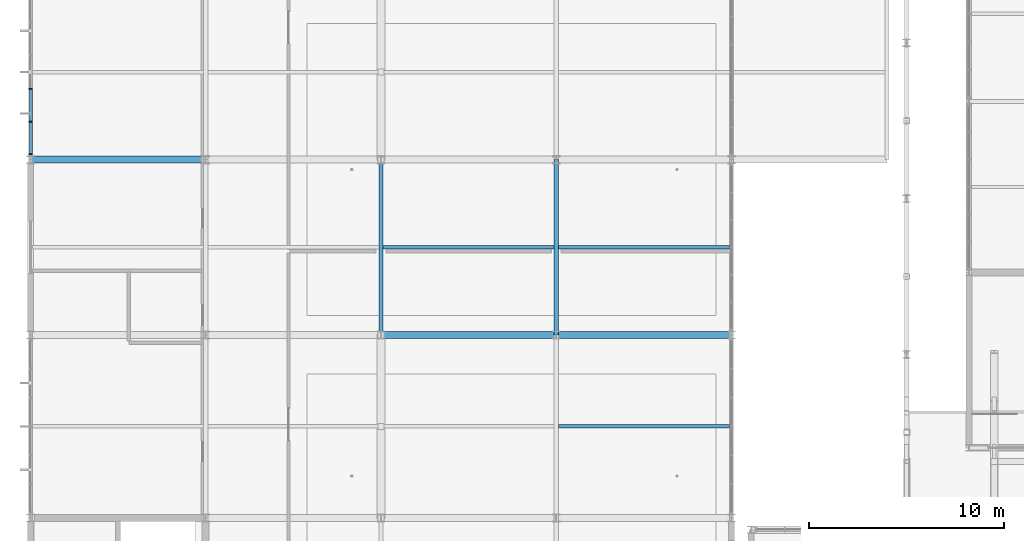
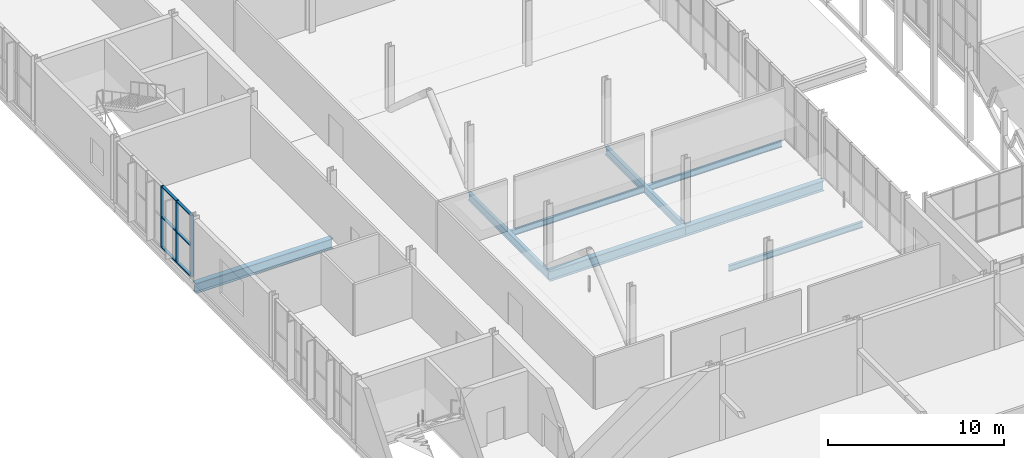
# One storey, part 43 of 134: 9 members, 8 beams, 1 element without a shape of its own.
"""IFC4 building model written with IfcOpenShell, lengths in metres."""

from ifc_helpers import new_model, si_unit, direction, frame, origin, origin_2d, place, context, subcontext, project, spatial, rectangle, i_section, extrude, material, layer, layer_set, material_profile, profile_set, type_object, element, aggregate, save


model = new_model("IFC4")

# Units and contexts
model_context = context("Model", 3, precision=1e-05, world=origin(), true_north=direction((0.0, 1.0)))
body_context = subcontext(model_context, "Body", "Model", "MODEL_VIEW")
ifc_project = project(units=[si_unit("LENGTHUNIT", "METRE"), si_unit("AREAUNIT", "SQUARE_METRE"), si_unit("VOLUMEUNIT", "CUBIC_METRE"), si_unit("PLANEANGLEUNIT", "RADIAN"), si_unit("MASSUNIT", "GRAM", prefix="KILO")], contexts=[model_context])

# Site, building, storey
site_placement = place(None, origin())
site = spatial("IfcSite", under=ifc_project, at=site_placement, CompositionType="ELEMENT")
building_placement = place(site_placement, origin())
building = spatial("IfcBuilding", under=site, at=building_placement, Name="Cazmaro Siding Exhibition Halls", CompositionType="ELEMENT")
storey_placement = place(building_placement, frame((0.0, 0.0, 12.0)))
storey = spatial("IfcBuildingStorey", under=building, at=storey_placement, Name="L02", CompositionType="ELEMENT", Elevation=12.0)

# Beams
ifc_material_1 = material(Name="Steel ASTM A992 Grade 50", Category="steel")
ifc_material_profile_1 = material_profile(ifc_material_1, i_section(OverallWidth=0.214111328125, OverallDepth=0.549072265625, WebThickness=0.014892578125, FlangeThickness=0.02392578125, at=origin_2d()), Name="W21X93")
ifc_profile_set_1 = profile_set([ifc_material_profile_1], Name="Steel ASTM A992 Grade 50")
beam_type_1 = type_object("IfcBeamType", Name="B-01", PredefinedType="BEAM", material=ifc_profile_set_1)
for number, where, z_axis, x_axis, name in (
    (1, (18.0, 73.0, -0.4951171875), (0.0, 1.0, 0.0), (-1.0, 0.0, 0.0), "Beam B-01 BM-2134"),
    (2, (27.0, 73.0, -0.4951171875), (0.0, 1.0, 0.0), (-1.0, 0.0, 0.0), "Beam B-01 BM-2142"),
):
    element("IfcBeam", number, at=place(storey_placement, frame(where, z_axis=z_axis, x_axis=x_axis)), inside=storey, type_object=beam_type_1, Name=name, PredefinedType="BEAM", context=body_context, shape_type="SweptSolid", body=[
        extrude(i_section(OverallWidth=0.214111328125, OverallDepth=0.549072265625, WebThickness=0.014892578125, FlangeThickness=0.02392578125, at=origin_2d()), origin(), (0.0, 0.0, 1.0), 9.0),
    ])

# Curtain wall, members
ifc_material_2 = material(Name="Anodized Bronze Aluminum and Solar-Control Low-E Glazing", Category="aluminium")
ifc_layer = layer(ifc_material_2, 0.199951171875)
ifc_layer_set = layer_set([ifc_layer], Name="Anodized Bronze Aluminum and Solar-Control Low-E Glazing")
curtain_wall_type = type_object("IfcCurtainWallType", Name="CWS-02", PredefinedType="USERDEFINED", material=ifc_layer_set)
curtain_wall_placement = place(storey_placement, origin())
curtain_wall = element("IfcCurtainWall", 3, at=curtain_wall_placement, inside=storey, type_object=curtain_wall_type, Name="Glazed Curtain Wall CWS-02 CW-239", ObjectType="GLAZED CURTAIN WALL", PredefinedType="USERDEFINED")
ifc_material_3 = material(Name="Anodized Bronze Extruded Aluminum", Category="aluminium")
ifc_material_profile_2 = material_profile(ifc_material_3, rectangle(XDim=0.199951171875, YDim=0.06494140625, at=origin_2d()), Name="CWM-02")
ifc_profile_set_2 = profile_set([ifc_material_profile_2], Name="Anodized Bronze Extruded Aluminum")
member_type_1 = type_object("IfcMemberType", Name="CWM-02", PredefinedType="MULLION", material=ifc_profile_set_2)
member_1_placement = place(storey_placement, frame((0.0, 85.64892578125, 0.0), z_axis=(0.0, 0.0, 1.0), x_axis=(1.0, 0.0, 0.0)))
member_1 = element("IfcMember", 4, at=member_1_placement, type_object=member_type_1, Name="CWS-02 mullion 4", PredefinedType="MULLION", context=body_context, shape_type="SweptSolid", body=[
    extrude(rectangle(XDim=0.199951171875, YDim=0.06494140625, at=origin_2d()), origin(), (0.0, 0.0, 1.0), 4.280029296875),
])
member_2_placement = place(storey_placement, frame((0.0, 83.947021484375, 0.0), z_axis=(0.0, 0.0, 1.0), x_axis=(1.0, 0.0, 0.0)))
member_2 = element("IfcMember", 5, at=member_2_placement, type_object=member_type_1, Name="CWS-02 mullion 5", PredefinedType="MULLION", context=body_context, shape_type="SweptSolid", body=[
    extrude(rectangle(XDim=0.199951171875, YDim=0.06494140625, at=origin_2d()), origin(), (0.0, 0.0, 1.0), 4.280029296875),
])
member_3_placement = place(storey_placement, frame((0.0, 82.277587890625, 0.0), z_axis=(0.0, 0.0, 1.0), x_axis=(1.0, 0.0, 0.0)))
member_3 = element("IfcMember", 6, at=member_3_placement, type_object=member_type_1, Name="CWS-02 mullion 6", PredefinedType="MULLION", context=body_context, shape_type="SweptSolid", body=[
    extrude(rectangle(XDim=0.199951171875, YDim=0.06494140625, at=origin_2d()), origin(), (0.0, 0.0, 1.0), 4.280029296875),
])
ifc_material_4 = material(Name="Anodized Bronze Extruded Aluminum", Category="aluminium")
ifc_material_profile_3 = material_profile(ifc_material_4, rectangle(XDim=0.179931640625, YDim=0.06494140625, at=origin_2d()), Name="CWT-02")
ifc_profile_set_3 = profile_set([ifc_material_profile_3], Name="Anodized Bronze Extruded Aluminum")
member_type_2 = type_object("IfcMemberType", Name="CWT-02", PredefinedType="MULLION", material=ifc_profile_set_3)
member_4_placement = place(storey_placement, frame((0.0, 85.616455078125, 0.032470703125), z_axis=(0.0, -1.0, 0.0), x_axis=(1.0, 0.0, 0.0)))
member_4 = element("IfcMember", 7, at=member_4_placement, type_object=member_type_2, Name="CWS-02 transom 4.1", ObjectType="TRANSOM", PredefinedType="USERDEFINED", context=body_context, shape_type="SweptSolid", body=[
    extrude(rectangle(XDim=0.179931640625, YDim=0.06494140625, at=origin_2d()), origin(), (0.0, 0.0, 1.0), 1.636962890625),
])
member_5_placement = place(storey_placement, frame((0.0, 85.616455078125, 2.139892578125), z_axis=(0.0, -1.0, 0.0), x_axis=(1.0, 0.0, 0.0)))
member_5 = element("IfcMember", 8, at=member_5_placement, type_object=member_type_2, Name="CWS-02 transom 4.2", ObjectType="TRANSOM", PredefinedType="USERDEFINED", context=body_context, shape_type="SweptSolid", body=[
    extrude(rectangle(XDim=0.179931640625, YDim=0.06494140625, at=origin_2d()), origin(), (0.0, 0.0, 1.0), 1.636962890625),
])
member_6_placement = place(storey_placement, frame((0.0, 85.616455078125, 4.24755859375), z_axis=(0.0, -1.0, 0.0), x_axis=(1.0, 0.0, 0.0)))
member_6 = element("IfcMember", 9, at=member_6_placement, type_object=member_type_2, Name="CWS-02 transom 4.3", ObjectType="TRANSOM", PredefinedType="USERDEFINED", context=body_context, shape_type="SweptSolid", body=[
    extrude(rectangle(XDim=0.179931640625, YDim=0.06494140625, at=origin_2d()), origin(), (0.0, 0.0, 1.0), 1.636962890625),
])
member_7_placement = place(storey_placement, frame((0.0, 83.91455078125, 0.032470703125), z_axis=(0.0, -1.0, 0.0), x_axis=(1.0, 0.0, 0.0)))
member_7 = element("IfcMember", 10, at=member_7_placement, type_object=member_type_2, Name="CWS-02 transom 5.1", ObjectType="TRANSOM", PredefinedType="USERDEFINED", context=body_context, shape_type="SweptSolid", body=[
    extrude(rectangle(XDim=0.179931640625, YDim=0.06494140625, at=origin_2d()), origin(), (0.0, 0.0, 1.0), 1.6044921875),
])
member_8_placement = place(storey_placement, frame((0.0, 83.91455078125, 2.139892578125), z_axis=(0.0, -1.0, 0.0), x_axis=(1.0, 0.0, 0.0)))
member_8 = element("IfcMember", 11, at=member_8_placement, type_object=member_type_2, Name="CWS-02 transom 5.2", ObjectType="TRANSOM", PredefinedType="USERDEFINED", context=body_context, shape_type="SweptSolid", body=[
    extrude(rectangle(XDim=0.179931640625, YDim=0.06494140625, at=origin_2d()), origin(), (0.0, 0.0, 1.0), 1.6044921875),
])
member_9_placement = place(storey_placement, frame((0.0, 83.91455078125, 4.24755859375), z_axis=(0.0, -1.0, 0.0), x_axis=(1.0, 0.0, 0.0)))
member_9 = element("IfcMember", 12, at=member_9_placement, type_object=member_type_2, Name="CWS-02 transom 5.3", ObjectType="TRANSOM", PredefinedType="USERDEFINED", context=body_context, shape_type="SweptSolid", body=[
    extrude(rectangle(XDim=0.179931640625, YDim=0.06494140625, at=origin_2d()), origin(), (0.0, 0.0, 1.0), 1.6044921875),
])
aggregate(curtain_wall, [member_1, member_2, member_3, member_4, member_5, member_6, member_7, member_8, member_9])

# Beams
ifc_material_5 = material(Name="Steel ASTM A992 Grade 50", Category="steel")
ifc_material_profile_4 = material_profile(ifc_material_5, i_section(OverallWidth=0.35595703125, OverallDepth=0.696044921875, WebThickness=0.014892578125, FlangeThickness=0.02490234375, at=origin_2d()), Name="W27X146")
ifc_profile_set_4 = profile_set([ifc_material_profile_4], Name="Steel ASTM A992 Grade 50")
beam_type_2 = type_object("IfcBeamType", Name="G-05", PredefinedType="USERDEFINED", material=ifc_profile_set_4)
for number, where, z_axis, x_axis, name in (
    (13, (0.0, 82.0, -0.568115234375), (1.0, 0.0, 0.0), (0.0, 1.0, 0.0), "Beam G-05 BM-2053"),
    (14, (18.0, 73.0, -0.568115234375), (1.0, 0.0, 0.0), (0.0, 1.0, 0.0), "Beam G-05 BM-2084"),
    (15, (27.0, 73.0, -0.568115234375), (1.0, 0.0, 0.0), (0.0, 1.0, 0.0), "Beam G-05 BM-2101"),
):
    element("IfcBeam", number, at=place(storey_placement, frame(where, z_axis=z_axis, x_axis=x_axis)), inside=storey, type_object=beam_type_2, Name=name, ObjectType="GIRDER", PredefinedType="USERDEFINED", context=body_context, shape_type="SweptSolid", body=[
        extrude(i_section(OverallWidth=0.35595703125, OverallDepth=0.696044921875, WebThickness=0.014892578125, FlangeThickness=0.02490234375, at=origin_2d()), origin(), (0.0, 0.0, 1.0), 9.0),
    ])
ifc_material_6 = material(Name="Steel ASTM A992 Grade 50", Category="steel")
ifc_material_profile_5 = material_profile(ifc_material_6, i_section(OverallWidth=0.177978515625, OverallDepth=0.406005859375, WebThickness=0.008056640625, FlangeThickness=0.012939453125, at=origin_2d()), Name="W16X40")
ifc_profile_set_5 = profile_set([ifc_material_profile_5], Name="Steel ASTM A992 Grade 50")
beam_type_3 = type_object("IfcBeamType", Name="J-02", PredefinedType="JOIST", material=ifc_profile_set_5)
for number, where, z_axis, x_axis, name in (
    (16, (18.10693359375, 77.5, -0.423095703125), (1.0, 0.0, 0.0), (0.0, 1.0, 0.0), "Beam J-02 BM-2093"),
    (17, (27.10693359375, 68.300048828125, -0.423095703125), (1.0, 0.0, 0.0), (0.0, 1.0, 0.0), "Beam J-02 BM-2109"),
    (18, (27.10693359375, 77.5, -0.423095703125), (1.0, 0.0, 0.0), (0.0, 1.0, 0.0), "Beam J-02 BM-2110"),
):
    element("IfcBeam", number, at=place(storey_placement, frame(where, z_axis=z_axis, x_axis=x_axis)), inside=storey, type_object=beam_type_3, Name=name, PredefinedType="JOIST", context=body_context, shape_type="SweptSolid", body=[
        extrude(i_section(OverallWidth=0.177978515625, OverallDepth=0.406005859375, WebThickness=0.008056640625, FlangeThickness=0.012939453125, at=origin_2d()), origin(), (0.0, 0.0, 1.0), 8.7861328125),
    ])

save(model, "model.ifc")
